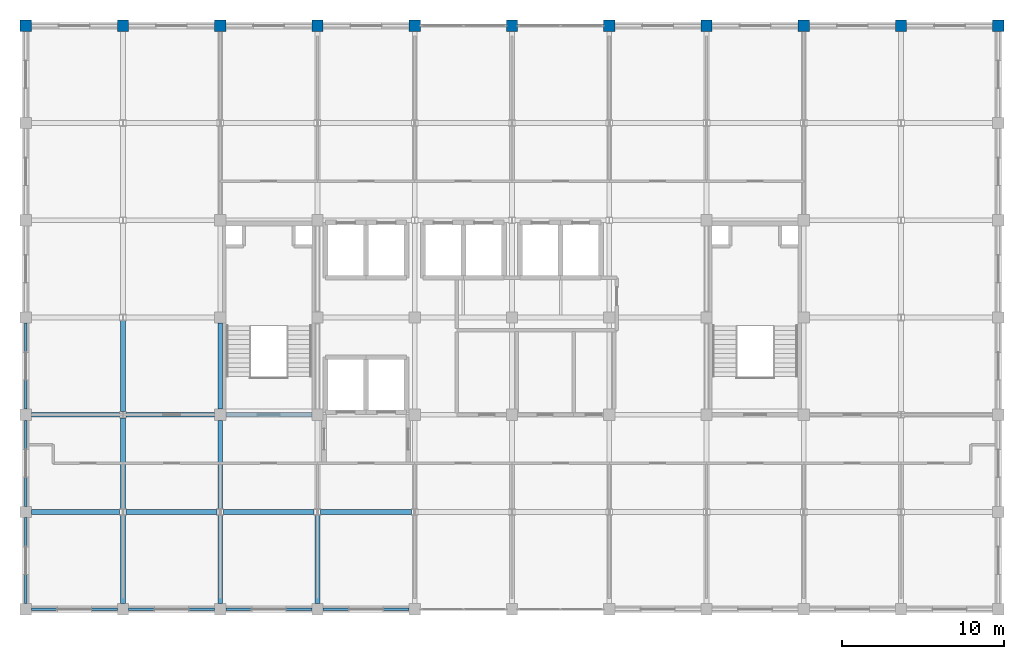
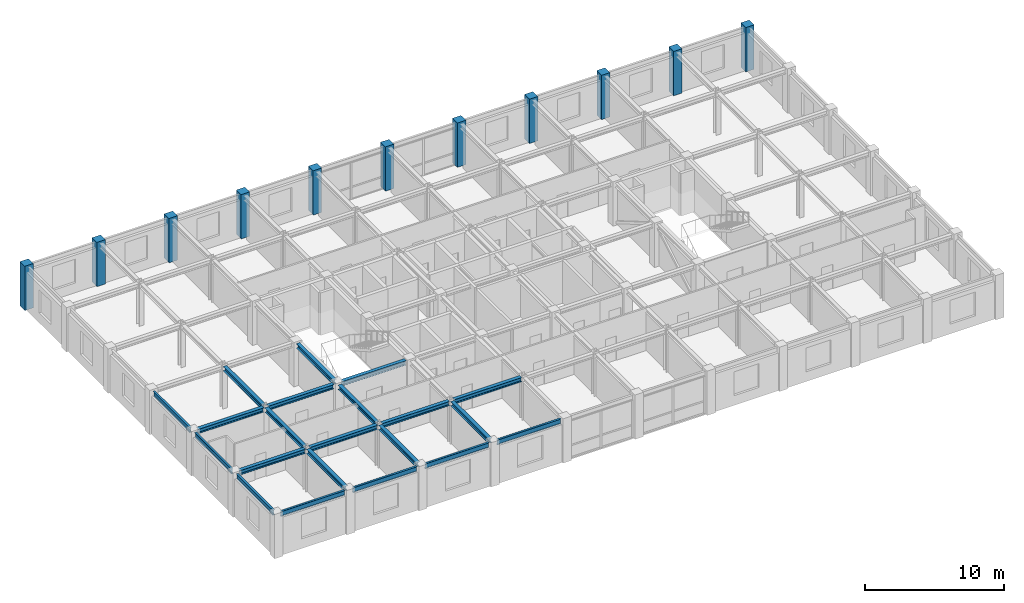
# One storey, part 3 of 14: 21 beams, 11 columns.
"""IFC4 building model written with IfcOpenShell, lengths in metres."""

from ifc_helpers import new_model, si_unit, direction, frame, origin, origin_2d, place, context, subcontext, project, spatial, rectangle, i_section, extrude, material, material_profile, profile_set, type_object, element, save


model = new_model("IFC4")

# Units and contexts
model_context = context("Model", 3, precision=1e-05, world=origin(), true_north=direction((0.0, 1.0)))
body_context = subcontext(model_context, "Body", "Model", "MODEL_VIEW")
ifc_project = project(units=[si_unit("LENGTHUNIT", "METRE"), si_unit("AREAUNIT", "SQUARE_METRE"), si_unit("VOLUMEUNIT", "CUBIC_METRE"), si_unit("PLANEANGLEUNIT", "RADIAN"), si_unit("MASSUNIT", "GRAM", prefix="KILO")], contexts=[model_context])

# Site, building, storey
site_placement = place(None, origin())
site = spatial("IfcSite", under=ifc_project, at=site_placement, CompositionType="ELEMENT")
building_placement = place(site_placement, origin())
building = spatial("IfcBuilding", under=site, at=building_placement, Name="Zlatovratsky Civic Hall", CompositionType="ELEMENT")
storey_placement = place(building_placement, frame((0.0, 0.0, 28.800048828125)))
storey = spatial("IfcBuildingStorey", under=building, at=storey_placement, Name="L07", CompositionType="ELEMENT", Elevation=28.800048828125)

# Columns
ifc_material_1 = material(Name="Concrete C35/45 (B40)", Category="concrete")
ifc_material_profile_1 = material_profile(ifc_material_1, rectangle(XDim=0.699951171875, YDim=0.699951171875, at=origin_2d()), Name="RC 700x700")
ifc_profile_set_1 = profile_set([ifc_material_profile_1], Name="Concrete C35/45 (B40)")
column_type = type_object("IfcColumnType", Name="Col_CorePier_RC700", PredefinedType="COLUMN", material=ifc_profile_set_1)
for number, where, z_axis, x_axis, name in (
    (1, (54.0, 108.0, 0.0), (0.0, 0.0, 1.0), (1.0, 0.0, 0.0), "CL-2161"),
    (2, (60.0, 108.0, 0.0), (0.0, 0.0, 1.0), (1.0, 0.0, 0.0), "CL-2162"),
    (3, (66.0, 108.0, 0.0), (0.0, 0.0, 1.0), (1.0, 0.0, 0.0), "CL-2163"),
    (4, (72.0, 108.0, 0.0), (0.0, 0.0, 1.0), (1.0, 0.0, 0.0), "CL-2164"),
    (5, (78.0, 108.0, 0.0), (0.0, 0.0, 1.0), (1.0, 0.0, 0.0), "CL-2165"),
    (6, (84.0, 108.0, 0.0), (0.0, 0.0, 1.0), (1.0, 0.0, 0.0), "CL-2166"),
    (7, (90.0, 108.0, 0.0), (0.0, 0.0, 1.0), (1.0, 0.0, 0.0), "CL-2167"),
    (8, (96.0, 108.0, 0.0), (0.0, 0.0, 1.0), (1.0, 0.0, 0.0), "CL-2168"),
    (9, (102.0, 108.0, 0.0), (0.0, 0.0, 1.0), (1.0, 0.0, 0.0), "CL-2169"),
    (10, (108.0, 108.0, 0.0), (0.0, 0.0, 1.0), (1.0, 0.0, 0.0), "CL-2170"),
    (11, (114.0, 108.0, 0.0), (0.0, 0.0, 1.0), (1.0, 0.0, 0.0), "CL-2171"),
):
    element("IfcColumn", number, at=place(storey_placement, frame(where, z_axis=z_axis, x_axis=x_axis)), inside=storey, type_object=column_type, Name=name, PredefinedType="COLUMN", context=body_context, shape_type="SweptSolid", body=[
        extrude(rectangle(XDim=0.699951171875, YDim=0.699951171875, at=origin_2d()), origin(), (0.0, 0.0, 1.0), 3.89990234375),
    ])

# Beams
ifc_material_2 = material(Name="Steel S355", Category="steel")
ifc_material_profile_2 = material_profile(ifc_material_2, i_section(OverallWidth=0.169921875, OverallDepth=0.446044921875, WebThickness=0.007568359375, FlangeThickness=0.010986328125, FilletRadius=0.01611328125, at=origin_2d()), Name="45B1")
ifc_profile_set_2 = profile_set([ifc_material_profile_2], Name="Steel S355")
beam_type_1 = type_object("IfcBeamType", Name="Beam_Spandrel_45B1", PredefinedType="SPANDREL", material=ifc_profile_set_2)
for number, where, z_axis, x_axis, name in (
    (12, (54.35009765625, 72.0, 3.516845703125), (1.0, 0.0, 0.0), (0.0, 1.0, 0.0), "BM-4245"),
    (13, (60.35009765625, 72.0, 3.516845703125), (1.0, 0.0, 0.0), (0.0, 1.0, 0.0), "BM-4246"),
    (14, (66.35009765625, 72.0, 3.516845703125), (1.0, 0.0, 0.0), (0.0, 1.0, 0.0), "BM-4247"),
    (15, (72.35009765625, 72.0, 3.516845703125), (1.0, 0.0, 0.0), (0.0, 1.0, 0.0), "BM-4248"),
    (16, (54.0, 72.35009765625, 3.516845703125), (0.0, 1.0, 0.0), (-1.0, 0.0, 0.0), "BM-4313"),
    (17, (54.0, 78.35009765625, 3.516845703125), (0.0, 1.0, 0.0), (-1.0, 0.0, 0.0), "BM-4314"),
    (18, (54.0, 84.35009765625, 3.516845703125), (0.0, 1.0, 0.0), (-1.0, 0.0, 0.0), "BM-4315"),
):
    element("IfcBeam", number, at=place(storey_placement, frame(where, z_axis=z_axis, x_axis=x_axis)), inside=storey, type_object=beam_type_1, Name=name, PredefinedType="SPANDREL", context=body_context, shape_type="SweptSolid", body=[
        extrude(i_section(OverallWidth=0.169921875, OverallDepth=0.446044921875, WebThickness=0.007568359375, FlangeThickness=0.010986328125, FilletRadius=0.01611328125, at=origin_2d()), origin(), (0.0, 0.0, 1.0), 5.2998046875),
    ])
ifc_material_profile_3 = material_profile(ifc_material_2, i_section(OverallWidth=0.300048828125, OverallDepth=0.387939453125, WebThickness=0.009521484375, FlangeThickness=0.013916015625, FilletRadius=0.02197265625, at=origin_2d()), Name="40Sh1")
ifc_profile_set_3 = profile_set([ifc_material_profile_3], Name="Steel S355")
beam_type_2 = type_object("IfcBeamType", Name="Beam_TowerMid_40Sh1", PredefinedType="BEAM", material=ifc_profile_set_3)
beam_1_placement = place(storey_placement, frame((54.35009765625, 78.0, 3.5458984375), z_axis=(1.0, 0.0, 0.0), x_axis=(0.0, 1.0, 0.0)))
element("IfcBeam", 19, at=beam_1_placement, inside=storey, type_object=beam_type_2, Name="BM-4255", PredefinedType="BEAM", context=body_context, shape_type="SweptSolid", body=[
    extrude(i_section(OverallWidth=0.300048828125, OverallDepth=0.387939453125, WebThickness=0.009521484375, FlangeThickness=0.013916015625, FilletRadius=0.02197265625, at=origin_2d()), origin(), (0.0, 0.0, 1.0), 5.450927734375),
])
for number, where, z_axis, x_axis, name in (
    (20, (60.198974609375, 78.0, 3.5458984375), (1.0, 0.0, 0.0), (0.0, 1.0, 0.0), "BM-4256"),
    (21, (66.198974609375, 78.0, 3.5458984375), (1.0, 0.0, 0.0), (0.0, 1.0, 0.0), "BM-4257"),
    (22, (72.198974609375, 78.0, 3.5458984375), (1.0, 0.0, 0.0), (0.0, 1.0, 0.0), "BM-4258"),
):
    element("IfcBeam", number, at=place(storey_placement, frame(where, z_axis=z_axis, x_axis=x_axis)), inside=storey, type_object=beam_type_2, Name=name, PredefinedType="BEAM", context=body_context, shape_type="SweptSolid", body=[
        extrude(i_section(OverallWidth=0.300048828125, OverallDepth=0.387939453125, WebThickness=0.009521484375, FlangeThickness=0.013916015625, FilletRadius=0.02197265625, at=origin_2d()), origin(), (0.0, 0.0, 1.0), 5.60205078125),
    ])
for number, where, z_axis, x_axis, name in (
    (23, (54.35009765625, 84.0, 3.5458984375), (1.0, 0.0, 0.0), (0.0, 1.0, 0.0), "BM-4265"),
    (24, (60.198974609375, 84.0, 3.5458984375), (1.0, 0.0, 0.0), (0.0, 1.0, 0.0), "BM-4266"),
):
    element("IfcBeam", number, at=place(storey_placement, frame(where, z_axis=z_axis, x_axis=x_axis)), inside=storey, type_object=beam_type_2, Name=name, PredefinedType="BEAM", context=body_context, shape_type="SweptSolid", body=[
        extrude(i_section(OverallWidth=0.300048828125, OverallDepth=0.387939453125, WebThickness=0.009521484375, FlangeThickness=0.013916015625, FilletRadius=0.02197265625, at=origin_2d()), origin(), (0.0, 0.0, 1.0), 5.450927734375),
    ])
beam_2_placement = place(storey_placement, frame((66.35009765625, 84.0, 3.5458984375), z_axis=(1.0, 0.0, 0.0), x_axis=(0.0, 1.0, 0.0)))
element("IfcBeam", 25, at=beam_2_placement, inside=storey, type_object=beam_type_2, Name="BM-4267", PredefinedType="BEAM", context=body_context, shape_type="SweptSolid", body=[
    extrude(i_section(OverallWidth=0.300048828125, OverallDepth=0.387939453125, WebThickness=0.009521484375, FlangeThickness=0.013916015625, FilletRadius=0.02197265625, at=origin_2d()), origin(), (0.0, 0.0, 1.0), 5.2998046875),
])
beam_3_placement = place(storey_placement, frame((60.0, 72.35009765625, 3.5458984375), z_axis=(0.0, 1.0, 0.0), x_axis=(-1.0, 0.0, 0.0)))
element("IfcBeam", 26, at=beam_3_placement, inside=storey, type_object=beam_type_2, Name="BM-4319", PredefinedType="BEAM", context=body_context, shape_type="SweptSolid", body=[
    extrude(i_section(OverallWidth=0.300048828125, OverallDepth=0.387939453125, WebThickness=0.009521484375, FlangeThickness=0.013916015625, FilletRadius=0.02197265625, at=origin_2d()), origin(), (0.0, 0.0, 1.0), 5.452880859375),
])
for number, where, z_axis, x_axis, name in (
    (27, (60.0, 78.197021484375, 3.5458984375), (0.0, 1.0, 0.0), (-1.0, 0.0, 0.0), "BM-4320"),
    (28, (60.0, 84.197021484375, 3.5458984375), (0.0, 1.0, 0.0), (-1.0, 0.0, 0.0), "BM-4321"),
):
    element("IfcBeam", number, at=place(storey_placement, frame(where, z_axis=z_axis, x_axis=x_axis)), inside=storey, type_object=beam_type_2, Name=name, PredefinedType="BEAM", context=body_context, shape_type="SweptSolid", body=[
        extrude(i_section(OverallWidth=0.300048828125, OverallDepth=0.387939453125, WebThickness=0.009521484375, FlangeThickness=0.013916015625, FilletRadius=0.02197265625, at=origin_2d()), origin(), (0.0, 0.0, 1.0), 5.60595703125),
    ])
for number, where, z_axis, x_axis, name in (
    (29, (66.0, 72.35009765625, 3.5458984375), (0.0, 1.0, 0.0), (-1.0, 0.0, 0.0), "BM-4325"),
    (30, (66.0, 78.197021484375, 3.5458984375), (0.0, 1.0, 0.0), (-1.0, 0.0, 0.0), "BM-4326"),
):
    element("IfcBeam", number, at=place(storey_placement, frame(where, z_axis=z_axis, x_axis=x_axis)), inside=storey, type_object=beam_type_2, Name=name, PredefinedType="BEAM", context=body_context, shape_type="SweptSolid", body=[
        extrude(i_section(OverallWidth=0.300048828125, OverallDepth=0.387939453125, WebThickness=0.009521484375, FlangeThickness=0.013916015625, FilletRadius=0.02197265625, at=origin_2d()), origin(), (0.0, 0.0, 1.0), 5.452880859375),
    ])
beam_4_placement = place(storey_placement, frame((66.0, 84.35009765625, 3.5458984375), z_axis=(0.0, 1.0, 0.0), x_axis=(-1.0, 0.0, 0.0)))
element("IfcBeam", 31, at=beam_4_placement, inside=storey, type_object=beam_type_2, Name="BM-4327", PredefinedType="BEAM", context=body_context, shape_type="SweptSolid", body=[
    extrude(i_section(OverallWidth=0.300048828125, OverallDepth=0.387939453125, WebThickness=0.009521484375, FlangeThickness=0.013916015625, FilletRadius=0.02197265625, at=origin_2d()), origin(), (0.0, 0.0, 1.0), 5.2998046875),
])
beam_5_placement = place(storey_placement, frame((72.0, 72.35009765625, 3.5458984375), z_axis=(0.0, 1.0, 0.0), x_axis=(-1.0, 0.0, 0.0)))
element("IfcBeam", 32, at=beam_5_placement, inside=storey, type_object=beam_type_2, Name="BM-4331", PredefinedType="BEAM", context=body_context, shape_type="SweptSolid", body=[
    extrude(i_section(OverallWidth=0.300048828125, OverallDepth=0.387939453125, WebThickness=0.009521484375, FlangeThickness=0.013916015625, FilletRadius=0.02197265625, at=origin_2d()), origin(), (0.0, 0.0, 1.0), 5.452880859375),
])

save(model, "model.ifc")
